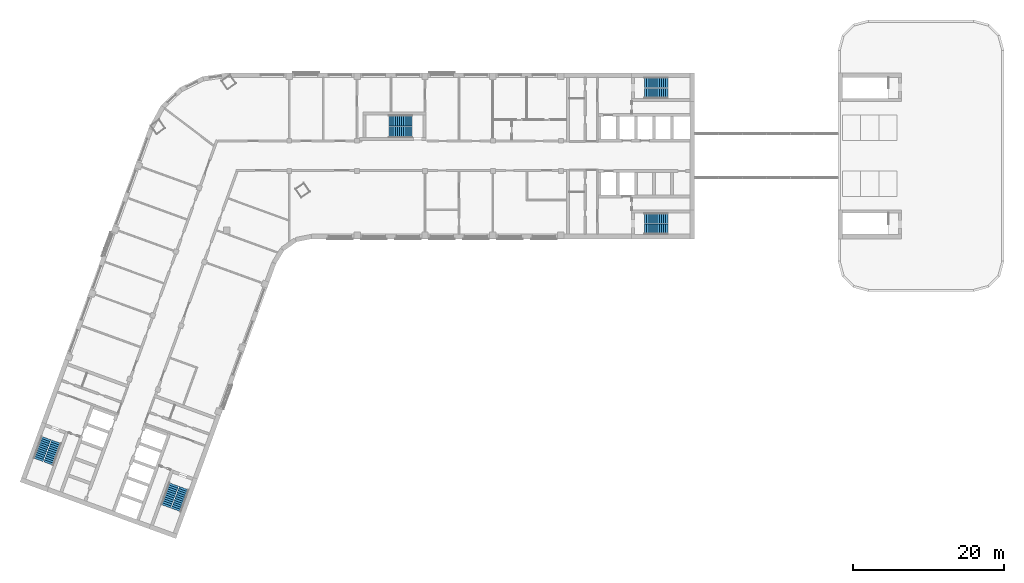
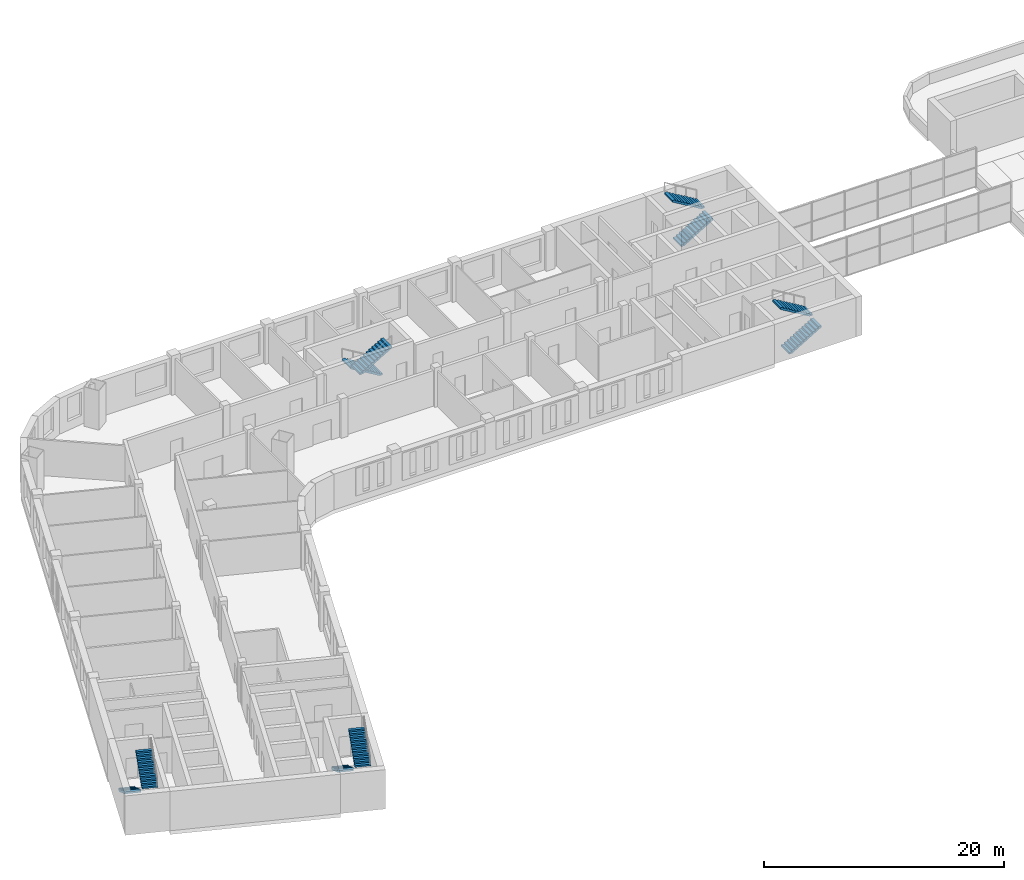
# One storey, part 10 of 11: 10 stair flights, 5 elements without a shape of their own.
"""IFC4 building model written with IfcOpenShell, lengths in metres."""

from ifc_helpers import new_model, si_unit, direction, frame, origin, place, context, subcontext, project, spatial, polyline, outline, extrude, material, type_object, element, aggregate, save


model = new_model("IFC4")

# Units and contexts
model_context = context("Model", 3, precision=1e-05, world=origin(), true_north=direction((0.0, 1.0)))
body_context = subcontext(model_context, "Body", "Model", "MODEL_VIEW")
ifc_project = project(units=[si_unit("LENGTHUNIT", "METRE"), si_unit("AREAUNIT", "SQUARE_METRE"), si_unit("VOLUMEUNIT", "CUBIC_METRE"), si_unit("PLANEANGLEUNIT", "RADIAN"), si_unit("MASSUNIT", "GRAM", prefix="KILO")], contexts=[model_context])

# Site, building, storey
site_placement = place(None, origin())
site = spatial("IfcSite", under=ifc_project, at=site_placement, CompositionType="ELEMENT")
building_placement = place(site_placement, origin())
building = spatial("IfcBuilding", under=site, at=building_placement, Name="Skarvind Civic Tower", CompositionType="ELEMENT")
storey_placement = place(building_placement, frame((0.0, 0.0, 113.0)))
storey = spatial("IfcBuildingStorey", under=building, at=storey_placement, Name="L26", CompositionType="ELEMENT", Elevation=113.0)

# Stair, stair flights
ifc_material = material(Name="Concrete C40/50", Category="concrete")
stair_type_1 = type_object("IfcStairType", Name="Exit stair 1450, half-turn, concrete", PredefinedType="HALF_TURN_STAIR", material=ifc_material)
stair_1_placement = place(storey_placement, origin())
stair_1 = element("IfcStair", 1, at=stair_1_placement, inside=storey, type_object=stair_type_1, Name="Exit stair CM", PredefinedType="HALF_TURN_STAIR")
stair_flight_type_1 = type_object("IfcStairFlightType", Name="Stair flight 1450, concrete", PredefinedType="STRAIGHT", material=ifc_material)
stair_flight_1_placement = place(storey_placement, frame((70.550048828125, 132.675048828125, 0.0), z_axis=(0.0, 0.0, 1.0), x_axis=(-1.0, 0.0, 0.0)))
stair_flight_1 = element("IfcStairFlight", 2, at=stair_flight_1_placement, type_object=stair_flight_type_1, Name="ST-CM flight 1", NumberOfRisers=12, NumberOfTreads=11, PredefinedType="STRAIGHT", RiserHeight=0.166666667, TreadLength=0.28, context=body_context, shape_type="SweptSolid", body=[
    extrude(outline(polyline([(0.0, 0.0), (0.0, 0.166748046875), (0.280029296875, 0.166748046875), (0.280029296875, 0.333251953125), (0.56005859375, 0.333251953125), (0.56005859375, 0.5), (0.840087890625, 0.5), (0.840087890625, 0.666748046875), (1.1201171875, 0.666748046875), (1.1201171875, 0.833251953125), (1.39990234375, 0.833251953125), (1.39990234375, 1.0), (1.679931640625, 1.0), (1.679931640625, 1.166748046875), (1.9599609375, 1.166748046875), (1.9599609375, 1.333251953125), (2.239990234375, 1.333251953125), (2.239990234375, 1.5), (2.52001953125, 1.5), (2.52001953125, 1.666748046875), (2.800048828125, 1.666748046875), (2.800048828125, 1.833251953125), (3.080078125, 1.833251953125), (3.080078125, 2.0), (3.080078125, 1.658935546875), (0.29296875, 0.0), (0.0, 0.0)])), frame((0.0, 0.72509765625, 0.0), z_axis=(0.0, -1.0, 0.0), x_axis=(1.0, 0.0, 0.0)), (0.0, 0.0, 1.0), 1.449951171875),
])
stair_flight_2_placement = place(storey_placement, frame((67.469970703125, 131.125, 2.0), z_axis=(0.0, 0.0, 1.0), x_axis=(1.0, 0.0, 0.0)))
stair_flight_2 = element("IfcStairFlight", 3, at=stair_flight_2_placement, type_object=stair_flight_type_1, Name="ST-CM flight 2", NumberOfRisers=12, NumberOfTreads=11, PredefinedType="STRAIGHT", RiserHeight=0.166666667, TreadLength=0.28, context=body_context, shape_type="SweptSolid", body=[
    extrude(outline(polyline([(0.0, 0.0), (0.0, 0.166748046875), (0.280029296875, 0.166748046875), (0.280029296875, 0.333251953125), (0.56005859375, 0.333251953125), (0.56005859375, 0.5), (0.840087890625, 0.5), (0.840087890625, 0.666748046875), (1.1201171875, 0.666748046875), (1.1201171875, 0.833251953125), (1.39990234375, 0.833251953125), (1.39990234375, 1.0), (1.679931640625, 1.0), (1.679931640625, 1.166748046875), (1.9599609375, 1.166748046875), (1.9599609375, 1.333251953125), (2.239990234375, 1.333251953125), (2.239990234375, 1.5), (2.52001953125, 1.5), (2.52001953125, 1.666748046875), (2.800048828125, 1.666748046875), (2.800048828125, 1.833251953125), (3.080078125, 1.833251953125), (3.080078125, 2.0), (3.080078125, 1.658935546875), (0.29296875, 0.0), (0.0, 0.0)])), frame((0.0, 0.72509765625, 0.0), z_axis=(0.0, -1.0, 0.0), x_axis=(1.0, 0.0, 0.0)), (0.0, 0.0, 1.0), 1.449951171875),
])
aggregate(stair_1, [stair_flight_1, stair_flight_2])

stair_type_2 = type_object("IfcStairType", Name="Exit stair, half-turn, concrete", PredefinedType="HALF_TURN_STAIR", material=ifc_material)
stair_2_placement = place(storey_placement, origin())
stair_2 = element("IfcStair", 4, at=stair_2_placement, inside=storey, type_object=stair_type_2, Name="Exit stair C1S", PredefinedType="HALF_TURN_STAIR")
stair_flight_type_2 = type_object("IfcStairFlightType", Name="Stair flight, concrete", PredefinedType="STRAIGHT", material=ifc_material)
stair_flight_3_placement = place(storey_placement, frame((101.35009765625, 136.27490234375, 0.0), z_axis=(0.0, 0.0, 1.0), x_axis=(1.0, 0.0, 0.0)))
stair_flight_3 = element("IfcStairFlight", 5, at=stair_flight_3_placement, type_object=stair_flight_type_2, Name="ST-C1S flight 1", NumberOfRisers=12, NumberOfTreads=11, PredefinedType="STRAIGHT", RiserHeight=0.166666667, TreadLength=0.28, context=body_context, shape_type="SweptSolid", body=[
    extrude(outline(polyline([(0.0, 0.0), (0.0, 0.166748046875), (0.280029296875, 0.166748046875), (0.280029296875, 0.333251953125), (0.56005859375, 0.333251953125), (0.56005859375, 0.5), (0.840087890625, 0.5), (0.840087890625, 0.666748046875), (1.1201171875, 0.666748046875), (1.1201171875, 0.833251953125), (1.39990234375, 0.833251953125), (1.39990234375, 1.0), (1.679931640625, 1.0), (1.679931640625, 1.166748046875), (1.9599609375, 1.166748046875), (1.9599609375, 1.333251953125), (2.239990234375, 1.333251953125), (2.239990234375, 1.5), (2.52001953125, 1.5), (2.52001953125, 1.666748046875), (2.800048828125, 1.666748046875), (2.800048828125, 1.833251953125), (3.080078125, 1.833251953125), (3.080078125, 2.0), (3.080078125, 1.658935546875), (0.29296875, 0.0), (0.0, 0.0)])), frame((0.0, 0.675048828125, 0.0), z_axis=(0.0, -1.0, 0.0), x_axis=(1.0, 0.0, 0.0)), (0.0, 0.0, 1.0), 1.35009765625),
])
stair_flight_4_placement = place(storey_placement, frame((104.429931640625, 137.72509765625, 2.0), z_axis=(0.0, 0.0, 1.0), x_axis=(-1.0, 0.0, 0.0)))
stair_flight_4 = element("IfcStairFlight", 6, at=stair_flight_4_placement, type_object=stair_flight_type_2, Name="ST-C1S flight 2", NumberOfRisers=12, NumberOfTreads=11, PredefinedType="STRAIGHT", RiserHeight=0.166666667, TreadLength=0.28, context=body_context, shape_type="SweptSolid", body=[
    extrude(outline(polyline([(0.0, 0.0), (0.0, 0.166748046875), (0.280029296875, 0.166748046875), (0.280029296875, 0.333251953125), (0.56005859375, 0.333251953125), (0.56005859375, 0.5), (0.840087890625, 0.5), (0.840087890625, 0.666748046875), (1.1201171875, 0.666748046875), (1.1201171875, 0.833251953125), (1.39990234375, 0.833251953125), (1.39990234375, 1.0), (1.679931640625, 1.0), (1.679931640625, 1.166748046875), (1.9599609375, 1.166748046875), (1.9599609375, 1.333251953125), (2.239990234375, 1.333251953125), (2.239990234375, 1.5), (2.52001953125, 1.5), (2.52001953125, 1.666748046875), (2.800048828125, 1.666748046875), (2.800048828125, 1.833251953125), (3.080078125, 1.833251953125), (3.080078125, 2.0), (3.080078125, 1.658935546875), (0.29296875, 0.0), (0.0, 0.0)])), frame((0.0, 0.675048828125, 0.0), z_axis=(0.0, -1.0, 0.0), x_axis=(1.0, 0.0, 0.0)), (0.0, 0.0, 1.0), 1.35009765625),
])
aggregate(stair_2, [stair_flight_3, stair_flight_4])

stair_3_placement = place(storey_placement, origin())
stair_3 = element("IfcStair", 7, at=stair_3_placement, inside=storey, type_object=stair_type_2, Name="Exit stair C1N", PredefinedType="HALF_TURN_STAIR")
stair_flight_5_placement = place(storey_placement, frame((101.35009765625, 118.27490234375, 0.0), z_axis=(0.0, 0.0, 1.0), x_axis=(1.0, 0.0, 0.0)))
stair_flight_5 = element("IfcStairFlight", 8, at=stair_flight_5_placement, type_object=stair_flight_type_2, Name="ST-C1N flight 1", NumberOfRisers=12, NumberOfTreads=11, PredefinedType="STRAIGHT", RiserHeight=0.166666667, TreadLength=0.28, context=body_context, shape_type="SweptSolid", body=[
    extrude(outline(polyline([(0.0, 0.0), (0.0, 0.166748046875), (0.280029296875, 0.166748046875), (0.280029296875, 0.333251953125), (0.56005859375, 0.333251953125), (0.56005859375, 0.5), (0.840087890625, 0.5), (0.840087890625, 0.666748046875), (1.1201171875, 0.666748046875), (1.1201171875, 0.833251953125), (1.39990234375, 0.833251953125), (1.39990234375, 1.0), (1.679931640625, 1.0), (1.679931640625, 1.166748046875), (1.9599609375, 1.166748046875), (1.9599609375, 1.333251953125), (2.239990234375, 1.333251953125), (2.239990234375, 1.5), (2.52001953125, 1.5), (2.52001953125, 1.666748046875), (2.800048828125, 1.666748046875), (2.800048828125, 1.833251953125), (3.080078125, 1.833251953125), (3.080078125, 2.0), (3.080078125, 1.658935546875), (0.29296875, 0.0), (0.0, 0.0)])), frame((0.0, 0.675048828125, 0.0), z_axis=(0.0, -1.0, 0.0), x_axis=(1.0, 0.0, 0.0)), (0.0, 0.0, 1.0), 1.35009765625),
])
stair_flight_6_placement = place(storey_placement, frame((104.429931640625, 119.72509765625, 2.0), z_axis=(0.0, 0.0, 1.0), x_axis=(-1.0, 0.0, 0.0)))
stair_flight_6 = element("IfcStairFlight", 9, at=stair_flight_6_placement, type_object=stair_flight_type_2, Name="ST-C1N flight 2", NumberOfRisers=12, NumberOfTreads=11, PredefinedType="STRAIGHT", RiserHeight=0.166666667, TreadLength=0.28, context=body_context, shape_type="SweptSolid", body=[
    extrude(outline(polyline([(0.0, 0.0), (0.0, 0.166748046875), (0.280029296875, 0.166748046875), (0.280029296875, 0.333251953125), (0.56005859375, 0.333251953125), (0.56005859375, 0.5), (0.840087890625, 0.5), (0.840087890625, 0.666748046875), (1.1201171875, 0.666748046875), (1.1201171875, 0.833251953125), (1.39990234375, 0.833251953125), (1.39990234375, 1.0), (1.679931640625, 1.0), (1.679931640625, 1.166748046875), (1.9599609375, 1.166748046875), (1.9599609375, 1.333251953125), (2.239990234375, 1.333251953125), (2.239990234375, 1.5), (2.52001953125, 1.5), (2.52001953125, 1.666748046875), (2.800048828125, 1.666748046875), (2.800048828125, 1.833251953125), (3.080078125, 1.833251953125), (3.080078125, 2.0), (3.080078125, 1.658935546875), (0.29296875, 0.0), (0.0, 0.0)])), frame((0.0, 0.675048828125, 0.0), z_axis=(0.0, -1.0, 0.0), x_axis=(1.0, 0.0, 0.0)), (0.0, 0.0, 1.0), 1.35009765625),
])
aggregate(stair_3, [stair_flight_5, stair_flight_6])

stair_4_placement = place(storey_placement, origin())
stair_4 = element("IfcStair", 10, at=stair_4_placement, inside=storey, type_object=stair_type_2, Name="Exit stair C2S", PredefinedType="HALF_TURN_STAIR")
stair_flight_7_placement = place(storey_placement, frame((38.949462890625, 84.43408203125, 0.0), z_axis=(0.0, 0.0, 1.0), x_axis=(-0.342020143326, -0.939692620786, 0.0)))
stair_flight_7 = element("IfcStairFlight", 11, at=stair_flight_7_placement, type_object=stair_flight_type_2, Name="ST-C2S flight 1", NumberOfRisers=12, NumberOfTreads=11, PredefinedType="STRAIGHT", RiserHeight=0.166666667, TreadLength=0.28, context=body_context, shape_type="SweptSolid", body=[
    extrude(outline(polyline([(0.0, 0.0), (0.0, 0.166748046875), (0.280029296875, 0.166748046875), (0.280029296875, 0.333251953125), (0.56005859375, 0.333251953125), (0.56005859375, 0.5), (0.840087890625, 0.5), (0.840087890625, 0.666748046875), (1.1201171875, 0.666748046875), (1.1201171875, 0.833251953125), (1.39990234375, 0.833251953125), (1.39990234375, 1.0), (1.679931640625, 1.0), (1.679931640625, 1.166748046875), (1.9599609375, 1.166748046875), (1.9599609375, 1.333251953125), (2.239990234375, 1.333251953125), (2.239990234375, 1.5), (2.52001953125, 1.5), (2.52001953125, 1.666748046875), (2.800048828125, 1.666748046875), (2.800048828125, 1.833251953125), (3.080078125, 1.833251953125), (3.080078125, 2.0), (3.080078125, 1.658935546875), (0.29296875, 0.0), (0.0, 0.0)])), frame((0.0, 0.675048828125, 0.0), z_axis=(0.0, -1.0, 0.0), x_axis=(1.0, 0.0, 0.0)), (0.0, 0.0, 1.0), 1.35009765625),
])
stair_flight_8_placement = place(storey_placement, frame((39.258544921875, 81.0439453125, 2.0), z_axis=(0.0, 0.0, 1.0), x_axis=(0.342020143326, 0.939692620786, 0.0)))
stair_flight_8 = element("IfcStairFlight", 12, at=stair_flight_8_placement, type_object=stair_flight_type_2, Name="ST-C2S flight 2", NumberOfRisers=12, NumberOfTreads=11, PredefinedType="STRAIGHT", RiserHeight=0.166666667, TreadLength=0.28, context=body_context, shape_type="SweptSolid", body=[
    extrude(outline(polyline([(0.0, 0.0), (0.0, 0.166748046875), (0.280029296875, 0.166748046875), (0.280029296875, 0.333251953125), (0.56005859375, 0.333251953125), (0.56005859375, 0.5), (0.840087890625, 0.5), (0.840087890625, 0.666748046875), (1.1201171875, 0.666748046875), (1.1201171875, 0.833251953125), (1.39990234375, 0.833251953125), (1.39990234375, 1.0), (1.679931640625, 1.0), (1.679931640625, 1.166748046875), (1.9599609375, 1.166748046875), (1.9599609375, 1.333251953125), (2.239990234375, 1.333251953125), (2.239990234375, 1.5), (2.52001953125, 1.5), (2.52001953125, 1.666748046875), (2.800048828125, 1.666748046875), (2.800048828125, 1.833251953125), (3.080078125, 1.833251953125), (3.080078125, 2.0), (3.080078125, 1.658935546875), (0.29296875, 0.0), (0.0, 0.0)])), frame((0.0, 0.675048828125, 0.0), z_axis=(0.0, -1.0, 0.0), x_axis=(1.0, 0.0, 0.0)), (0.0, 0.0, 1.0), 1.35009765625),
])
aggregate(stair_4, [stair_flight_7, stair_flight_8])

stair_5_placement = place(storey_placement, origin())
stair_5 = element("IfcStair", 13, at=stair_5_placement, inside=storey, type_object=stair_type_2, Name="Exit stair C2N", PredefinedType="HALF_TURN_STAIR")
stair_flight_9_placement = place(storey_placement, frame((22.034912109375, 90.590576171875, 0.0), z_axis=(0.0, 0.0, 1.0), x_axis=(-0.342020143326, -0.939692620786, 0.0)))
stair_flight_9 = element("IfcStairFlight", 14, at=stair_flight_9_placement, type_object=stair_flight_type_2, Name="ST-C2N flight 1", NumberOfRisers=12, NumberOfTreads=11, PredefinedType="STRAIGHT", RiserHeight=0.166666667, TreadLength=0.28, context=body_context, shape_type="SweptSolid", body=[
    extrude(outline(polyline([(0.0, 0.0), (0.0, 0.166748046875), (0.280029296875, 0.166748046875), (0.280029296875, 0.333251953125), (0.56005859375, 0.333251953125), (0.56005859375, 0.5), (0.840087890625, 0.5), (0.840087890625, 0.666748046875), (1.1201171875, 0.666748046875), (1.1201171875, 0.833251953125), (1.39990234375, 0.833251953125), (1.39990234375, 1.0), (1.679931640625, 1.0), (1.679931640625, 1.166748046875), (1.9599609375, 1.166748046875), (1.9599609375, 1.333251953125), (2.239990234375, 1.333251953125), (2.239990234375, 1.5), (2.52001953125, 1.5), (2.52001953125, 1.666748046875), (2.800048828125, 1.666748046875), (2.800048828125, 1.833251953125), (3.080078125, 1.833251953125), (3.080078125, 2.0), (3.080078125, 1.658935546875), (0.29296875, 0.0), (0.0, 0.0)])), frame((0.0, 0.675048828125, 0.0), z_axis=(0.0, -1.0, 0.0), x_axis=(1.0, 0.0, 0.0)), (0.0, 0.0, 1.0), 1.35009765625),
])
stair_flight_10_placement = place(storey_placement, frame((22.343994140625, 87.2001953125, 2.0), z_axis=(0.0, 0.0, 1.0), x_axis=(0.342020143326, 0.939692620786, 0.0)))
stair_flight_10 = element("IfcStairFlight", 15, at=stair_flight_10_placement, type_object=stair_flight_type_2, Name="ST-C2N flight 2", NumberOfRisers=12, NumberOfTreads=11, PredefinedType="STRAIGHT", RiserHeight=0.166666667, TreadLength=0.28, context=body_context, shape_type="SweptSolid", body=[
    extrude(outline(polyline([(0.0, 0.0), (0.0, 0.166748046875), (0.280029296875, 0.166748046875), (0.280029296875, 0.333251953125), (0.56005859375, 0.333251953125), (0.56005859375, 0.5), (0.840087890625, 0.5), (0.840087890625, 0.666748046875), (1.1201171875, 0.666748046875), (1.1201171875, 0.833251953125), (1.39990234375, 0.833251953125), (1.39990234375, 1.0), (1.679931640625, 1.0), (1.679931640625, 1.166748046875), (1.9599609375, 1.166748046875), (1.9599609375, 1.333251953125), (2.239990234375, 1.333251953125), (2.239990234375, 1.5), (2.52001953125, 1.5), (2.52001953125, 1.666748046875), (2.800048828125, 1.666748046875), (2.800048828125, 1.833251953125), (3.080078125, 1.833251953125), (3.080078125, 2.0), (3.080078125, 1.658935546875), (0.29296875, 0.0), (0.0, 0.0)])), frame((0.0, 0.675048828125, 0.0), z_axis=(0.0, -1.0, 0.0), x_axis=(1.0, 0.0, 0.0)), (0.0, 0.0, 1.0), 1.35009765625),
])
aggregate(stair_5, [stair_flight_9, stair_flight_10])

save(model, "model.ifc")
